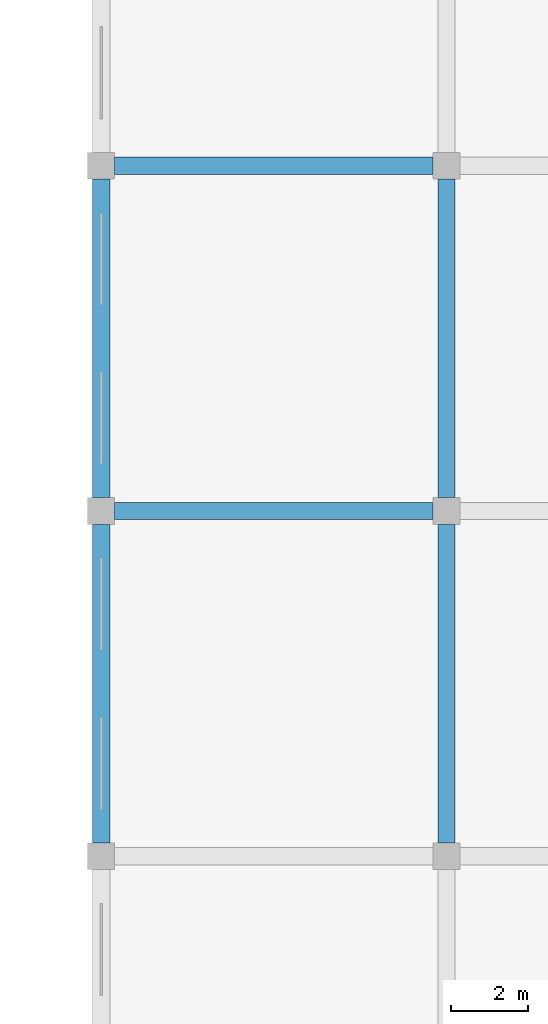
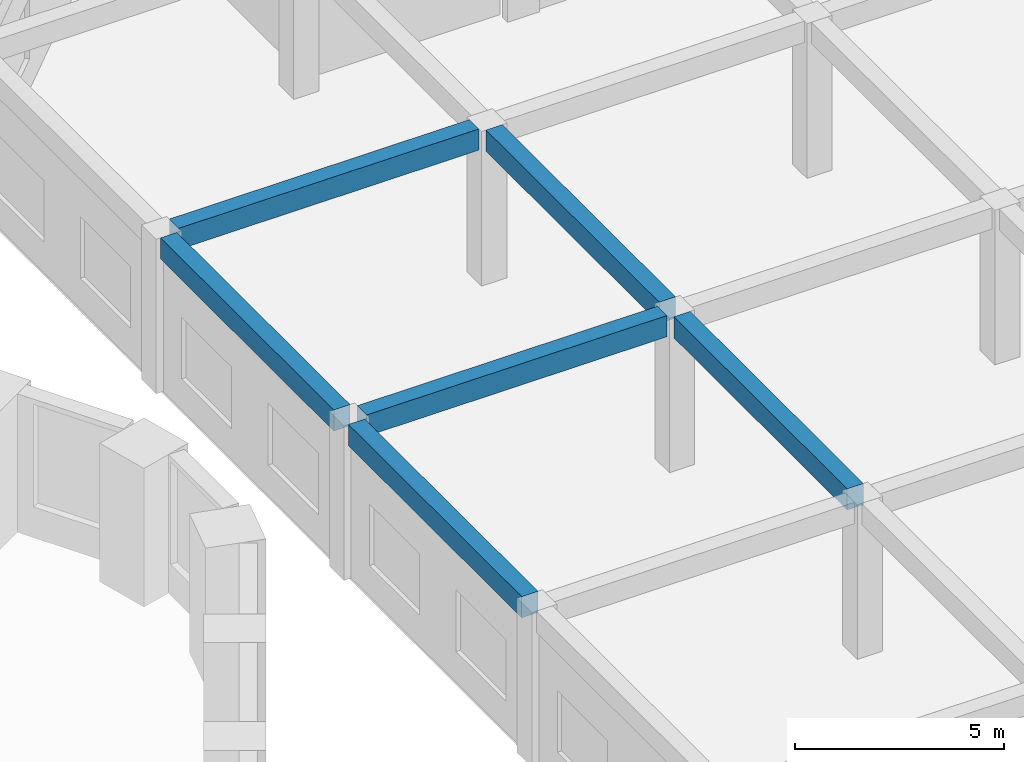
# One storey, part 6 of 42: 6 beams.
"""IFC4 building model written with IfcOpenShell, lengths in metres."""

from ifc_helpers import new_model, si_unit, direction, frame, origin, origin_2d, place, context, subcontext, project, spatial, rectangle, extrude, material, material_profile, profile_set, type_object, element, save


model = new_model("IFC4")

# Units and contexts
model_context = context("Model", 3, precision=1e-05, world=origin(), true_north=direction((0.0, 1.0)))
body_context = subcontext(model_context, "Body", "Model", "MODEL_VIEW")
ifc_project = project(units=[si_unit("LENGTHUNIT", "METRE"), si_unit("AREAUNIT", "SQUARE_METRE"), si_unit("VOLUMEUNIT", "CUBIC_METRE"), si_unit("PLANEANGLEUNIT", "RADIAN"), si_unit("MASSUNIT", "GRAM", prefix="KILO")], contexts=[model_context])

# Site, building, storey
site_placement = place(None, origin())
site = spatial("IfcSite", under=ifc_project, at=site_placement, CompositionType="ELEMENT")
building_placement = place(site_placement, origin())
building = spatial("IfcBuilding", under=site, at=building_placement, Name="Dhurran Vertical Campus", CompositionType="ELEMENT")
storey_placement = place(building_placement, frame((0.0, 0.0, 6.0)))
storey = spatial("IfcBuildingStorey", under=building, at=storey_placement, Name="L01", CompositionType="ELEMENT", Elevation=6.0)

# Beams
ifc_material = material(Name="Concrete C40/50", Category="concrete")
ifc_material_profile = material_profile(ifc_material, rectangle(XDim=0.449951171875, YDim=0.6201171875, at=origin_2d()), Name="hl-girder 450x620")
ifc_profile_set = profile_set([ifc_material_profile], Name="Concrete C40/50")
beam_type = type_object("IfcBeamType", Name="hl-girder 450x620", PredefinedType="BEAM", material=ifc_profile_set)
for number, where, z_axis, x_axis, name in (
    (1, (61.5, -8.64990234375, 4.2099609375), (0.0, 1.0, 0.0), (-1.0, 0.0, 0.0), "Hall girder L01-004"),
    (2, (61.5, 0.35009765625, 4.2099609375), (0.0, 1.0, 0.0), (-1.0, 0.0, 0.0), "Hall girder L01-006"),
    (3, (61.85009765625, 0.0, 4.2099609375), (1.0, 0.0, 0.0), (0.0, 1.0, 0.0), "Hall girder L01-007"),
    (4, (61.85009765625, 9.0, 4.2099609375), (1.0, 0.0, 0.0), (0.0, 1.0, 0.0), "Hall girder L01-009"),
    (5, (70.5, -8.64990234375, 4.2099609375), (0.0, 1.0, 0.0), (-1.0, 0.0, 0.0), "Hall girder L01-015"),
    (6, (70.5, 0.35009765625, 4.2099609375), (0.0, 1.0, 0.0), (-1.0, 0.0, 0.0), "Hall girder L01-017"),
):
    element("IfcBeam", number, at=place(storey_placement, frame(where, z_axis=z_axis, x_axis=x_axis)), inside=storey, type_object=beam_type, Name=name, PredefinedType="BEAM", context=body_context, shape_type="SweptSolid", body=[
        extrude(rectangle(XDim=0.449951171875, YDim=0.6201171875, at=origin_2d()), origin(), (0.0, 0.0, 1.0), 8.2998046875),
    ])

save(model, "model.ifc")
